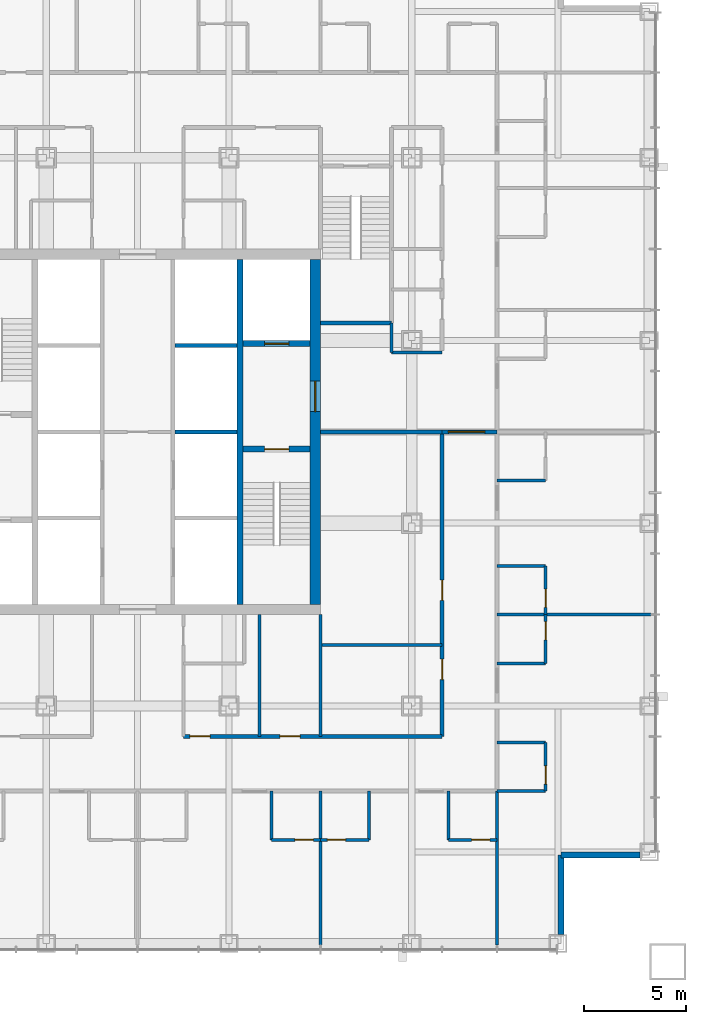
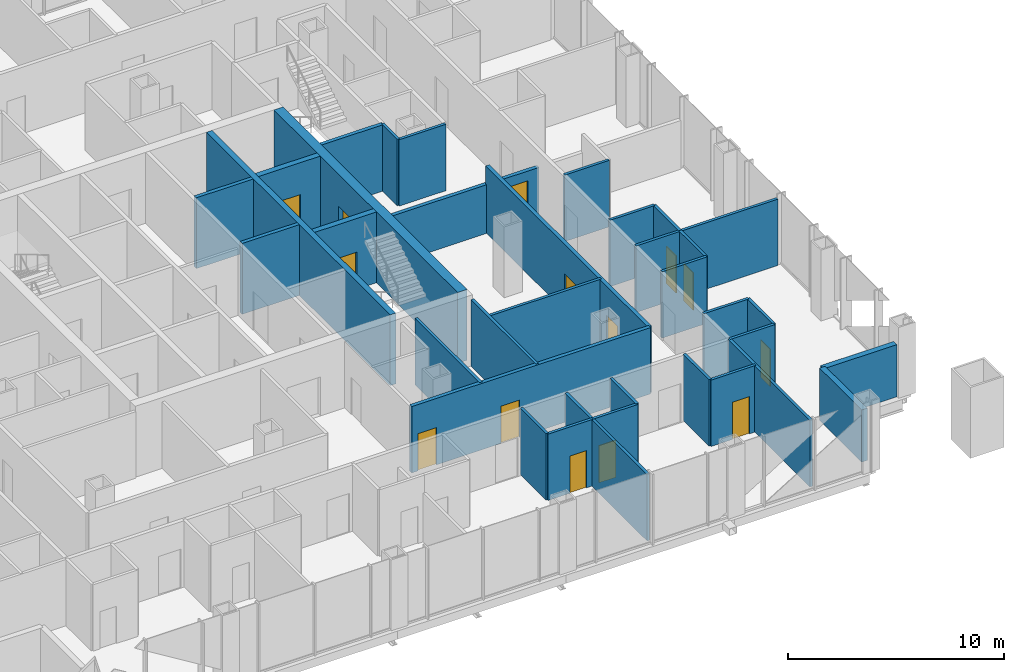
# One storey, part 9 of 13: 35 walls, 14 doors, 14 openings.
"""IFC4 building model written with IfcOpenShell, lengths in metres."""

from ifc_helpers import new_model, si_unit, direction, frame, frame_2d, origin, place, context, subcontext, project, spatial, rectangle, extrude, material, layer, layer_set, type_object, element, fill, save


model = new_model("IFC4")

# Units and contexts
model_context = context("Model", 3, precision=1e-05, world=origin(), true_north=direction((0.0, 1.0)))
body_context = subcontext(model_context, "Body", "Model", "MODEL_VIEW")
ifc_project = project(units=[si_unit("LENGTHUNIT", "METRE"), si_unit("AREAUNIT", "SQUARE_METRE"), si_unit("VOLUMEUNIT", "CUBIC_METRE"), si_unit("PLANEANGLEUNIT", "RADIAN"), si_unit("MASSUNIT", "GRAM", prefix="KILO")], contexts=[model_context])

# Site, building, storey
site_placement = place(None, origin())
site = spatial("IfcSite", under=ifc_project, at=site_placement, CompositionType="ELEMENT")
building_placement = place(site_placement, origin())
building = spatial("IfcBuilding", under=site, at=building_placement, Name="Malebo Sky Hospital", CompositionType="ELEMENT")
storey_placement = place(building_placement, frame((0.0, 0.0, 87.0)))
storey = spatial("IfcBuildingStorey", under=building, at=storey_placement, Name="L20", CompositionType="ELEMENT", Elevation=87.0)

# Walls
ifc_material_1 = material(Name="Concrete C80/95", Category="concrete")
ifc_layer_1 = layer(ifc_material_1, 0.199951171875)
ifc_layer_set_1 = layer_set([ifc_layer_1], Name="CORE INNER WALL 200")
wall_type_1 = type_object("IfcWallType", Name="CORE INNER WALL 200", PredefinedType="SHEAR", material=ifc_layer_set_1)
for number, where, z_axis, x_axis, name in (
    (1, (61.85009765625, 62.0, 0.0), (0.0, 0.0, 1.0), (1.0, 0.0, 0.0), "Core wall SE1 L20"),
    (2, (61.85009765625, 66.25, 0.0), (0.0, 0.0, 1.0), (1.0, 0.0, 0.0), "Core wall SE2 L20"),
):
    element("IfcWall", number, at=place(storey_placement, frame(where, z_axis=z_axis, x_axis=x_axis)), inside=storey, type_object=wall_type_1, Name=name, PredefinedType="SHEAR", context=body_context, shape_type="SweptSolid", body=[
        extrude(rectangle(XDim=3.0498046875, YDim=0.199951171875, at=frame_2d((1.52490234375, 0.0))), origin(), (0.0, 0.0, 1.0), 4.0),
    ])
ifc_layer_2 = layer(ifc_material_1, 0.300048828125)
ifc_layer_set_2 = layer_set([ifc_layer_2], Name="CORE INNER WALL 300")
wall_type_2 = type_object("IfcWallType", Name="CORE INNER WALL 300", PredefinedType="SHEAR", material=ifc_layer_set_2)
wall_1_placement = place(storey_placement, frame((65.050048828125, 53.5, 0.0), z_axis=(0.0, 0.0, 1.0), x_axis=(0.0, 1.0, 0.0)))
element("IfcWall", 3, at=wall_1_placement, inside=storey, type_object=wall_type_2, Name="Core wall XE L20", PredefinedType="SHEAR", context=body_context, shape_type="SweptSolid", body=[
    extrude(rectangle(XDim=17.0, YDim=0.300048828125, at=frame_2d((8.5, 0.0))), origin(), (0.0, 0.0, 1.0), 4.0),
])

# Wall, opening, door
wall_2_placement = place(storey_placement, frame((65.199951171875, 61.14990234375, 0.0), z_axis=(0.0, 0.0, 1.0), x_axis=(1.0, 0.0, 0.0)))
wall_2 = element("IfcWall", 4, at=wall_2_placement, inside=storey, type_object=wall_type_2, Name="Core wall E1 L20", PredefinedType="SHEAR", context=body_context, shape_type="SweptSolid", body=[
    extrude(rectangle(XDim=3.300048828125, YDim=0.300048828125, at=frame_2d((1.64990234375, 0.0))), origin(), (0.0, 0.0, 1.0), 4.0),
])
opening_1_placement = place(wall_2_placement, frame((1.050048828125, 0.0, 0.0)))
opening_1 = element("IfcOpeningElement", 5, at=opening_1_placement, cuts=wall_2, Name="Opening D08", PredefinedType="OPENING", context=body_context, shape_type="SweptSolid", body=[
    extrude(rectangle(XDim=1.199951171875, YDim=2.10009765625, at=frame_2d((0.60009765625, 1.050048828125))), frame((0.0, 0.159912109375, 0.0), z_axis=(0.0, -1.0, 0.0), x_axis=(1.0, 0.0, 0.0)), (0.0, 0.0, 1.0), 0.320068359375),
])
ifc_material_2 = material(Name="Hardwood-faced door leaf in steel frame", Category="steel")
door_type_1 = type_object("IfcDoorType", Name="STAIR DOOR 1200", OperationType="SINGLE_SWING_LEFT", PredefinedType="DOOR", material=ifc_material_2)
door_1_placement = place(opening_1_placement, origin())
door_1 = element("IfcDoor", 6, at=door_1_placement, inside=storey, type_object=door_type_1, Name="Stair S2 door", OperationType="SINGLE_SWING_LEFT", OverallHeight=2.10009765625, OverallWidth=1.199951171875, PredefinedType="DOOR", context=body_context, shape_type="SweptSolid", body=[
    extrude(rectangle(XDim=1.199951171875, YDim=2.10009765625, at=frame_2d((0.60009765625, 1.050048828125))), frame((0.0, 0.02490234375, 0.0), z_axis=(0.0, -1.0, 0.0), x_axis=(1.0, 0.0, 0.0)), (0.0, 0.0, 1.0), 0.050048828125),
])
fill(opening_1, door_1)

wall_3_placement = place(storey_placement, frame((65.199951171875, 66.35009765625, 0.0), z_axis=(0.0, 0.0, 1.0), x_axis=(1.0, 0.0, 0.0)))
wall_3 = element("IfcWall", 7, at=wall_3_placement, inside=storey, type_object=wall_type_2, Name="Core wall E2 L20", PredefinedType="SHEAR", context=body_context, shape_type="SweptSolid", body=[
    extrude(rectangle(XDim=3.300048828125, YDim=0.300048828125, at=frame_2d((1.64990234375, 0.0))), origin(), (0.0, 0.0, 1.0), 4.0),
])
opening_2_placement = place(wall_3_placement, frame((1.050048828125, 0.0, 0.0)))
opening_2 = element("IfcOpeningElement", 8, at=opening_2_placement, cuts=wall_3, Name="Opening LD2", PredefinedType="OPENING", context=body_context, shape_type="SweptSolid", body=[
    extrude(rectangle(XDim=1.199951171875, YDim=2.199951171875, at=frame_2d((0.60009765625, 1.10009765625))), frame((0.0, 0.159912109375, 0.0), z_axis=(0.0, -1.0, 0.0), x_axis=(1.0, 0.0, 0.0)), (0.0, 0.0, 1.0), 0.320068359375),
])
ifc_material_3 = material(Name="Stainless steel sliding landing door", Category="steel")
door_type_2 = type_object("IfcDoorType", Name="FIRE-FIGHTING LIFT LANDING DOOR 1200", OperationType="SLIDING_TO_LEFT", PredefinedType="DOOR", material=ifc_material_3)
door_2_placement = place(opening_2_placement, origin())
door_2 = element("IfcDoor", 9, at=door_2_placement, inside=storey, type_object=door_type_2, Name="Lift FL2 landing door", OperationType="SLIDING_TO_LEFT", OverallHeight=2.199951171875, OverallWidth=1.199951171875, PredefinedType="DOOR", context=body_context, shape_type="SweptSolid", body=[
    extrude(rectangle(XDim=1.199951171875, YDim=2.199951171875, at=frame_2d((0.60009765625, 1.10009765625))), frame((0.0, 0.02490234375, 0.0), z_axis=(0.0, -1.0, 0.0), x_axis=(1.0, 0.0, 0.0)), (0.0, 0.0, 1.0), 0.050048828125),
])
fill(opening_2, door_2)

ifc_layer_3 = layer(ifc_material_1, 0.5)
ifc_layer_set_3 = layer_set([ifc_layer_3], Name="CORE WALL 500")
wall_type_3 = type_object("IfcWallType", Name="CORE WALL 500", PredefinedType="SHEAR", material=ifc_layer_set_3)
wall_4_placement = place(storey_placement, frame((68.75, 53.5, 0.0), z_axis=(0.0, 0.0, 1.0), x_axis=(0.0, 1.0, 0.0)))
wall_4 = element("IfcWall", 10, at=wall_4_placement, inside=storey, type_object=wall_type_3, Name="Core wall E L20", PredefinedType="SHEAR", context=body_context, shape_type="SweptSolid", body=[
    extrude(rectangle(XDim=17.0, YDim=0.5, at=frame_2d((8.5, 0.0))), origin(), (0.0, 0.0, 1.0), 4.0),
])
opening_3_placement = place(wall_4_placement, frame((9.5, 0.0, 0.0)))
opening_3 = element("IfcOpeningElement", 11, at=opening_3_placement, cuts=wall_4, Name="Opening D07", PredefinedType="OPENING", context=body_context, shape_type="SweptSolid", body=[
    extrude(rectangle(XDim=1.5, YDim=2.199951171875, at=frame_2d((0.75, 1.10009765625))), frame((0.0, 0.260009765625, 0.0), z_axis=(0.0, -1.0, 0.0), x_axis=(1.0, 0.0, 0.0)), (0.0, 0.0, 1.0), 0.52001953125),
])
door_type_3 = type_object("IfcDoorType", Name="FIRE-FIGHTING LOBBY DOOR PAIR 1500", OperationType="DOUBLE_DOOR_SINGLE_SWING", PredefinedType="DOOR", material=ifc_material_2)
door_3_placement = place(opening_3_placement, origin())
door_3 = element("IfcDoor", 12, at=door_3_placement, inside=storey, type_object=door_type_3, Name="Fire-fighting lobby door east", OperationType="DOUBLE_DOOR_SINGLE_SWING", OverallHeight=2.199951171875, OverallWidth=1.5, PredefinedType="DOOR", context=body_context, shape_type="SweptSolid", body=[
    extrude(rectangle(XDim=1.5, YDim=2.199951171875, at=frame_2d((0.75, 1.10009765625))), frame((0.0, 0.02490234375, 0.0), z_axis=(0.0, -1.0, 0.0), x_axis=(1.0, 0.0, 0.0)), (0.0, 0.0, 1.0), 0.050048828125),
])
fill(opening_3, door_3)

# Wall, openings, doors
ifc_material_4 = material(Name="Gypsum board on steel studs", Category="steel")
ifc_layer_4 = layer(ifc_material_4, 0.199951171875)
ifc_layer_set_4 = layer_set([ifc_layer_4], Name="CORRIDOR WALL 200")
wall_type_4 = type_object("IfcWallType", Name="CORRIDOR WALL 200", PredefinedType="PARTITIONING", material=ifc_layer_set_4)
wall_5_placement = place(storey_placement, frame((75.0, 47.0, 0.0), z_axis=(0.0, 0.0, 1.0), x_axis=(-1.0, 0.0, 0.0)))
wall_5 = element("IfcWall", 13, at=wall_5_placement, inside=storey, type_object=wall_type_4, Name="Corridor Wall 200 SCI1", PredefinedType="PARTITIONING", context=body_context, shape_type="SweptSolid", body=[
    extrude(rectangle(XDim=12.75, YDim=0.199951171875, at=frame_2d((6.375, 0.0))), origin(), (0.0, 0.0, 1.0), 3.75),
])
opening_4_placement = place(wall_5_placement, frame((7.0, 0.0, 0.0)))
opening_4 = element("IfcOpeningElement", 14, at=opening_4_placement, cuts=wall_5, Name="Opening D03", PredefinedType="OPENING", context=body_context, shape_type="SweptSolid", body=[
    extrude(rectangle(XDim=1.0, YDim=2.10009765625, at=frame_2d((0.5, 1.050048828125))), frame((0.0, 0.10986328125, 0.0), z_axis=(0.0, -1.0, 0.0), x_axis=(1.0, 0.0, 0.0)), (0.0, 0.0, 1.0), 0.219970703125),
])
opening_5_placement = place(wall_5_placement, frame((11.425048828125, 0.0, 0.0)))
opening_5 = element("IfcOpeningElement", 15, at=opening_5_placement, cuts=wall_5, Name="Opening D03", PredefinedType="OPENING", context=body_context, shape_type="SweptSolid", body=[
    extrude(rectangle(XDim=1.0, YDim=2.10009765625, at=frame_2d((0.5, 1.050048828125))), frame((0.0, 0.10986328125, 0.0), z_axis=(0.0, -1.0, 0.0), x_axis=(1.0, 0.0, 0.0)), (0.0, 0.0, 1.0), 0.219970703125),
])
door_type_4 = type_object("IfcDoorType", Name="ROOM DOOR 1000", OperationType="SINGLE_SWING_LEFT", PredefinedType="DOOR", material=ifc_material_2)
door_4_placement = place(opening_4_placement, origin())
door_4 = element("IfcDoor", 16, at=door_4_placement, inside=storey, type_object=door_type_4, Name="Clean utility room door", OperationType="SINGLE_SWING_LEFT", OverallHeight=2.10009765625, OverallWidth=1.0, PredefinedType="DOOR", context=body_context, shape_type="SweptSolid", body=[
    extrude(rectangle(XDim=1.0, YDim=2.10009765625, at=frame_2d((0.5, 1.050048828125))), frame((0.0, 0.02490234375, 0.0), z_axis=(0.0, -1.0, 0.0), x_axis=(1.0, 0.0, 0.0)), (0.0, 0.0, 1.0), 0.050048828125),
])
fill(opening_4, door_4)
door_5_placement = place(opening_5_placement, origin())
door_5 = element("IfcDoor", 17, at=door_5_placement, inside=storey, type_object=door_type_4, Name="Equipment store door", OperationType="SINGLE_SWING_RIGHT", OverallHeight=2.10009765625, OverallWidth=1.0, PredefinedType="DOOR", context=body_context, shape_type="SweptSolid", body=[
    extrude(rectangle(XDim=1.0, YDim=2.10009765625, at=frame_2d((0.5, 1.050048828125))), frame((0.0, 0.02490234375, 0.0), z_axis=(0.0, -1.0, 0.0), x_axis=(1.0, 0.0, 0.0)), (0.0, 0.0, 1.0), 0.050048828125),
])
fill(opening_5, door_5)

wall_6_placement = place(storey_placement, frame((75.0, 62.0, 0.0), z_axis=(0.0, 0.0, 1.0), x_axis=(0.0, -1.0, 0.0)))
wall_6 = element("IfcWall", 18, at=wall_6_placement, inside=storey, type_object=wall_type_4, Name="Corridor Wall 200 ECI2", PredefinedType="PARTITIONING", context=body_context, shape_type="SweptSolid", body=[
    extrude(rectangle(XDim=15.0, YDim=0.199951171875, at=frame_2d((7.5, 0.0))), origin(), (0.0, 0.0, 1.0), 3.75),
])
opening_6_placement = place(wall_6_placement, frame((7.300048828125, 0.0, 0.0)))
opening_6 = element("IfcOpeningElement", 19, at=opening_6_placement, cuts=wall_6, Name="Opening D03", PredefinedType="OPENING", context=body_context, shape_type="SweptSolid", body=[
    extrude(rectangle(XDim=1.0, YDim=2.10009765625, at=frame_2d((0.5, 1.050048828125))), frame((0.0, 0.10986328125, 0.0), z_axis=(0.0, -1.0, 0.0), x_axis=(1.0, 0.0, 0.0)), (0.0, 0.0, 1.0), 0.219970703125),
])
opening_7_placement = place(wall_6_placement, frame((11.199951171875, 0.0, 0.0)))
opening_7 = element("IfcOpeningElement", 20, at=opening_7_placement, cuts=wall_6, Name="Opening D03", PredefinedType="OPENING", context=body_context, shape_type="SweptSolid", body=[
    extrude(rectangle(XDim=1.0, YDim=2.10009765625, at=frame_2d((0.5, 1.050048828125))), frame((0.0, 0.10986328125, 0.0), z_axis=(0.0, -1.0, 0.0), x_axis=(1.0, 0.0, 0.0)), (0.0, 0.0, 1.0), 0.219970703125),
])
door_6_placement = place(opening_6_placement, origin())
door_6 = element("IfcDoor", 21, at=door_6_placement, inside=storey, type_object=door_type_4, Name="Staff rest room door", OperationType="SINGLE_SWING_RIGHT", OverallHeight=2.10009765625, OverallWidth=1.0, PredefinedType="DOOR", context=body_context, shape_type="SweptSolid", body=[
    extrude(rectangle(XDim=1.0, YDim=2.10009765625, at=frame_2d((0.5, 1.050048828125))), frame((0.0, 0.02490234375, 0.0), z_axis=(0.0, -1.0, 0.0), x_axis=(1.0, 0.0, 0.0)), (0.0, 0.0, 1.0), 0.050048828125),
])
fill(opening_6, door_6)
door_7_placement = place(opening_7_placement, origin())
door_7 = element("IfcDoor", 22, at=door_7_placement, inside=storey, type_object=door_type_4, Name="Ward pantry door", OperationType="SINGLE_SWING_LEFT", OverallHeight=2.10009765625, OverallWidth=1.0, PredefinedType="DOOR", context=body_context, shape_type="SweptSolid", body=[
    extrude(rectangle(XDim=1.0, YDim=2.10009765625, at=frame_2d((0.5, 1.050048828125))), frame((0.0, 0.02490234375, 0.0), z_axis=(0.0, -1.0, 0.0), x_axis=(1.0, 0.0, 0.0)), (0.0, 0.0, 1.0), 0.050048828125),
])
fill(opening_7, door_7)

# Walls
ifc_material_5 = material(Name="Anodised aluminium rainscreen on steel framing", Category="steel")
ifc_layer_5 = layer(ifc_material_5, 0.300048828125)
ifc_layer_set_5 = layer_set([ifc_layer_5], Name="NOTCH RAINSCREEN WALL 300")
wall_type_5 = type_object("IfcWallType", Name="NOTCH RAINSCREEN WALL 300", PredefinedType="ELEMENTEDWALL", material=ifc_layer_set_5)
for number, where, z_axis, x_axis, name in (
    (23, (84.75, 41.14990234375, 0.0), (0.0, 0.0, 1.0), (-1.0, 0.0, 0.0), "Notch rainscreen wall E1 L20"),
    (24, (80.85009765625, 41.14990234375, 0.0), (0.0, 0.0, 1.0), (0.0, -1.0, 0.0), "Notch rainscreen wall E2 L20"),
):
    element("IfcWall", number, at=place(storey_placement, frame(where, z_axis=z_axis, x_axis=x_axis)), inside=storey, type_object=wall_type_5, Name=name, PredefinedType="ELEMENTEDWALL", context=body_context, shape_type="SweptSolid", body=[
        extrude(rectangle(XDim=3.89990234375, YDim=0.300048828125, at=frame_2d((1.949951171875, 0.0))), origin(), (0.0, 0.0, 1.0), 2.949951171875),
    ])
ifc_layer_6 = layer(ifc_material_4, 0.14990234375)
ifc_layer_set_6 = layer_set([ifc_layer_6], Name="PARTITION 150")
wall_type_6 = type_object("IfcWallType", Name="PARTITION 150", PredefinedType="PARTITIONING", material=ifc_layer_set_6)
for number, where, z_axis, x_axis, name in (
    (25, (69.0, 44.300048828125, 0.0), (0.0, 0.0, 1.0), (0.0, -1.0, 0.0), "Partition 150 SP-9.0"),
    (26, (77.699951171875, 44.300048828125, 0.0), (0.0, 0.0, 1.0), (0.0, -1.0, 0.0), "Partition 150 SP0"),
):
    element("IfcWall", number, at=place(storey_placement, frame(where, z_axis=z_axis, x_axis=x_axis)), inside=storey, type_object=wall_type_6, Name=name, PredefinedType="PARTITIONING", context=body_context, shape_type="SweptSolid", body=[
        extrude(rectangle(XDim=7.574951171875, YDim=0.14990234375, at=frame_2d((3.78759765625, 0.0))), origin(), (0.0, 0.0, 1.0), 3.75),
    ])

# Wall, opening, door
wall_7_placement = place(storey_placement, frame((77.699951171875, 41.89990234375, 0.0), z_axis=(0.0, 0.0, 1.0), x_axis=(-1.0, 0.0, 0.0)))
wall_7 = element("IfcWall", 27, at=wall_7_placement, inside=storey, type_object=wall_type_6, Name="Partition 150 SE0F", PredefinedType="PARTITIONING", context=body_context, shape_type="SweptSolid", body=[
    extrude(rectangle(XDim=2.39990234375, YDim=0.14990234375, at=frame_2d((1.199951171875, 0.0))), origin(), (0.0, 0.0, 1.0), 3.75),
])
opening_8_placement = place(wall_7_placement, frame((0.35009765625, 0.0, 0.0)))
opening_8 = element("IfcOpeningElement", 28, at=opening_8_placement, cuts=wall_7, Name="Opening D02", PredefinedType="OPENING", context=body_context, shape_type="SweptSolid", body=[
    extrude(rectangle(XDim=0.89990234375, YDim=2.10009765625, at=frame_2d((0.449951171875, 1.050048828125))), frame((0.0, 0.0849609375, 0.0), z_axis=(0.0, -1.0, 0.0), x_axis=(1.0, 0.0, 0.0)), (0.0, 0.0, 1.0), 0.169921875),
])
door_type_5 = type_object("IfcDoorType", Name="EN-SUITE DOOR 900", OperationType="SINGLE_SWING_LEFT", PredefinedType="DOOR", material=ifc_material_2)
door_8_placement = place(opening_8_placement, origin())
door_8 = element("IfcDoor", 29, at=door_8_placement, inside=storey, type_object=door_type_5, Name="En-suite door", OperationType="SINGLE_SWING_LEFT", OverallHeight=2.10009765625, OverallWidth=0.89990234375, PredefinedType="DOOR", context=body_context, shape_type="SweptSolid", body=[
    extrude(rectangle(XDim=0.89990234375, YDim=2.10009765625, at=frame_2d((0.449951171875, 1.050048828125))), frame((0.0, 0.02490234375, 0.0), z_axis=(0.0, -1.0, 0.0), x_axis=(1.0, 0.0, 0.0)), (0.0, 0.0, 1.0), 0.050048828125),
])
fill(opening_8, door_8)

# Wall
wall_8_placement = place(storey_placement, frame((75.300048828125, 44.300048828125, 0.0), z_axis=(0.0, 0.0, 1.0), x_axis=(0.0, -1.0, 0.0)))
element("IfcWall", 30, at=wall_8_placement, inside=storey, type_object=wall_type_6, Name="Partition 150 SE0S", PredefinedType="PARTITIONING", context=body_context, shape_type="SweptSolid", body=[
    extrude(rectangle(XDim=2.400146484375, YDim=0.14990234375, at=frame_2d((1.2001953125, 0.0))), origin(), (0.0, 0.0, 1.0), 3.75),
])

# Wall, opening, door
wall_9_placement = place(storey_placement, frame((71.39990234375, 41.89990234375, 0.0), z_axis=(0.0, 0.0, 1.0), x_axis=(-1.0, 0.0, 0.0)))
wall_9 = element("IfcWall", 31, at=wall_9_placement, inside=storey, type_object=wall_type_6, Name="Partition 150 SG0F", PredefinedType="PARTITIONING", context=body_context, shape_type="SweptSolid", body=[
    extrude(rectangle(XDim=2.39990234375, YDim=0.14990234375, at=frame_2d((1.199951171875, 0.0))), origin(), (0.0, 0.0, 1.0), 3.75),
])
opening_9_placement = place(wall_9_placement, frame((1.14990234375, 0.0, 0.0)))
opening_9 = element("IfcOpeningElement", 32, at=opening_9_placement, cuts=wall_9, Name="Opening D02", PredefinedType="OPENING", context=body_context, shape_type="SweptSolid", body=[
    extrude(rectangle(XDim=0.89990234375, YDim=2.10009765625, at=frame_2d((0.449951171875, 1.050048828125))), frame((0.0, 0.0849609375, 0.0), z_axis=(0.0, -1.0, 0.0), x_axis=(1.0, 0.0, 0.0)), (0.0, 0.0, 1.0), 0.169921875),
])
door_9_placement = place(opening_9_placement, origin())
door_9 = element("IfcDoor", 33, at=door_9_placement, inside=storey, type_object=door_type_5, Name="En-suite door", OperationType="SINGLE_SWING_RIGHT", OverallHeight=2.10009765625, OverallWidth=0.89990234375, PredefinedType="DOOR", context=body_context, shape_type="SweptSolid", body=[
    extrude(rectangle(XDim=0.89990234375, YDim=2.10009765625, at=frame_2d((0.449951171875, 1.050048828125))), frame((0.0, 0.02490234375, 0.0), z_axis=(0.0, -1.0, 0.0), x_axis=(1.0, 0.0, 0.0)), (0.0, 0.0, 1.0), 0.050048828125),
])
fill(opening_9, door_9)

# Wall
wall_10_placement = place(storey_placement, frame((71.39990234375, 44.300048828125, 0.0), z_axis=(0.0, 0.0, 1.0), x_axis=(0.0, -1.0, 0.0)))
element("IfcWall", 34, at=wall_10_placement, inside=storey, type_object=wall_type_6, Name="Partition 150 SG0S", PredefinedType="PARTITIONING", context=body_context, shape_type="SweptSolid", body=[
    extrude(rectangle(XDim=2.400146484375, YDim=0.14990234375, at=frame_2d((1.2001953125, 0.0))), origin(), (0.0, 0.0, 1.0), 3.75),
])

# Wall, opening, door
wall_11_placement = place(storey_placement, frame((69.0, 41.89990234375, 0.0), z_axis=(0.0, 0.0, 1.0), x_axis=(-1.0, 0.0, 0.0)))
wall_11 = element("IfcWall", 35, at=wall_11_placement, inside=storey, type_object=wall_type_6, Name="Partition 150 SE1F", PredefinedType="PARTITIONING", context=body_context, shape_type="SweptSolid", body=[
    extrude(rectangle(XDim=2.39990234375, YDim=0.14990234375, at=frame_2d((1.199951171875, 0.0))), origin(), (0.0, 0.0, 1.0), 3.75),
])
opening_10_placement = place(wall_11_placement, frame((0.35009765625, 0.0, 0.0)))
opening_10 = element("IfcOpeningElement", 36, at=opening_10_placement, cuts=wall_11, Name="Opening D02", PredefinedType="OPENING", context=body_context, shape_type="SweptSolid", body=[
    extrude(rectangle(XDim=0.89990234375, YDim=2.10009765625, at=frame_2d((0.449951171875, 1.050048828125))), frame((0.0, 0.0849609375, 0.0), z_axis=(0.0, -1.0, 0.0), x_axis=(1.0, 0.0, 0.0)), (0.0, 0.0, 1.0), 0.169921875),
])
door_10_placement = place(opening_10_placement, origin())
door_10 = element("IfcDoor", 37, at=door_10_placement, inside=storey, type_object=door_type_5, Name="En-suite door", OperationType="SINGLE_SWING_LEFT", OverallHeight=2.10009765625, OverallWidth=0.89990234375, PredefinedType="DOOR", context=body_context, shape_type="SweptSolid", body=[
    extrude(rectangle(XDim=0.89990234375, YDim=2.10009765625, at=frame_2d((0.449951171875, 1.050048828125))), frame((0.0, 0.02490234375, 0.0), z_axis=(0.0, -1.0, 0.0), x_axis=(1.0, 0.0, 0.0)), (0.0, 0.0, 1.0), 0.050048828125),
])
fill(opening_10, door_10)

# Walls
wall_12_placement = place(storey_placement, frame((66.60009765625, 44.300048828125, 0.0), z_axis=(0.0, 0.0, 1.0), x_axis=(0.0, -1.0, 0.0)))
element("IfcWall", 38, at=wall_12_placement, inside=storey, type_object=wall_type_6, Name="Partition 150 SE1S", PredefinedType="PARTITIONING", context=body_context, shape_type="SweptSolid", body=[
    extrude(rectangle(XDim=2.400146484375, YDim=0.14990234375, at=frame_2d((1.2001953125, 0.0))), origin(), (0.0, 0.0, 1.0), 3.75),
])
for number, where, z_axis, x_axis, name in (
    (39, (69.0, 53.0, 0.0), (0.0, 0.0, 1.0), (0.0, -1.0, 0.0), "Partition 150 SSP0"),
    (40, (66.0, 53.0, 0.0), (0.0, 0.0, 1.0), (0.0, -1.0, 0.0), "Partition 150 SSP-6.0"),
):
    element("IfcWall", number, at=place(storey_placement, frame(where, z_axis=z_axis, x_axis=x_axis)), inside=storey, type_object=wall_type_6, Name=name, PredefinedType="PARTITIONING", context=body_context, shape_type="SweptSolid", body=[
        extrude(rectangle(XDim=6.0, YDim=0.14990234375, at=frame_2d((3.0, 0.0))), origin(), (0.0, 0.0, 1.0), 3.75),
    ])
wall_13_placement = place(storey_placement, frame((77.699951171875, 53.0, 0.0), z_axis=(0.0, 0.0, 1.0), x_axis=(1.0, 0.0, 0.0)))
element("IfcWall", 41, at=wall_13_placement, inside=storey, type_object=wall_type_6, Name="Partition 150 EP+9.0", PredefinedType="PARTITIONING", context=body_context, shape_type="SweptSolid", body=[
    extrude(rectangle(XDim=7.574951171875, YDim=0.14990234375, at=frame_2d((3.78759765625, 0.0))), origin(), (0.0, 0.0, 1.0), 3.75),
])
wall_14_placement = place(storey_placement, frame((77.699951171875, 59.60009765625, 0.0), z_axis=(0.0, 0.0, 1.0), x_axis=(1.0, 0.0, 0.0)))
element("IfcWall", 42, at=wall_14_placement, inside=storey, type_object=wall_type_6, Name="Partition 150 EE3S", PredefinedType="PARTITIONING", context=body_context, shape_type="SweptSolid", body=[
    extrude(rectangle(XDim=2.400146484375, YDim=0.14990234375, at=frame_2d((1.2001953125, 0.0))), origin(), (0.0, 0.0, 1.0), 3.75),
])

# Wall, opening, door
wall_15_placement = place(storey_placement, frame((80.10009765625, 55.39990234375, 0.0), z_axis=(0.0, 0.0, 1.0), x_axis=(0.0, -1.0, 0.0)))
wall_15 = element("IfcWall", 43, at=wall_15_placement, inside=storey, type_object=wall_type_6, Name="Partition 150 EG3F", PredefinedType="PARTITIONING", context=body_context, shape_type="SweptSolid", body=[
    extrude(rectangle(XDim=2.39990234375, YDim=0.14990234375, at=frame_2d((1.199951171875, 0.0))), origin(), (0.0, 0.0, 1.0), 3.75),
])
opening_11_placement = place(wall_15_placement, frame((1.14990234375, 0.0, 0.0)))
opening_11 = element("IfcOpeningElement", 44, at=opening_11_placement, cuts=wall_15, Name="Opening D02", PredefinedType="OPENING", context=body_context, shape_type="SweptSolid", body=[
    extrude(rectangle(XDim=0.89990234375, YDim=2.10009765625, at=frame_2d((0.449951171875, 1.050048828125))), frame((0.0, 0.0849609375, 0.0), z_axis=(0.0, -1.0, 0.0), x_axis=(1.0, 0.0, 0.0)), (0.0, 0.0, 1.0), 0.169921875),
])
door_11_placement = place(opening_11_placement, origin())
door_11 = element("IfcDoor", 45, at=door_11_placement, inside=storey, type_object=door_type_5, Name="En-suite door", OperationType="SINGLE_SWING_RIGHT", OverallHeight=2.10009765625, OverallWidth=0.89990234375, PredefinedType="DOOR", context=body_context, shape_type="SweptSolid", body=[
    extrude(rectangle(XDim=0.89990234375, YDim=2.10009765625, at=frame_2d((0.449951171875, 1.050048828125))), frame((0.0, 0.02490234375, 0.0), z_axis=(0.0, -1.0, 0.0), x_axis=(1.0, 0.0, 0.0)), (0.0, 0.0, 1.0), 0.050048828125),
])
fill(opening_11, door_11)

# Wall
wall_16_placement = place(storey_placement, frame((77.699951171875, 55.39990234375, 0.0), z_axis=(0.0, 0.0, 1.0), x_axis=(1.0, 0.0, 0.0)))
element("IfcWall", 46, at=wall_16_placement, inside=storey, type_object=wall_type_6, Name="Partition 150 EG3S", PredefinedType="PARTITIONING", context=body_context, shape_type="SweptSolid", body=[
    extrude(rectangle(XDim=2.400146484375, YDim=0.14990234375, at=frame_2d((1.2001953125, 0.0))), origin(), (0.0, 0.0, 1.0), 3.75),
])

# Wall, opening, door
wall_17_placement = place(storey_placement, frame((80.10009765625, 53.0, 0.0), z_axis=(0.0, 0.0, 1.0), x_axis=(0.0, -1.0, 0.0)))
wall_17 = element("IfcWall", 47, at=wall_17_placement, inside=storey, type_object=wall_type_6, Name="Partition 150 EE4F", PredefinedType="PARTITIONING", context=body_context, shape_type="SweptSolid", body=[
    extrude(rectangle(XDim=2.39990234375, YDim=0.14990234375, at=frame_2d((1.199951171875, 0.0))), origin(), (0.0, 0.0, 1.0), 3.75),
])
opening_12_placement = place(wall_17_placement, frame((0.35009765625, 0.0, 0.0)))
opening_12 = element("IfcOpeningElement", 48, at=opening_12_placement, cuts=wall_17, Name="Opening D02", PredefinedType="OPENING", context=body_context, shape_type="SweptSolid", body=[
    extrude(rectangle(XDim=0.89990234375, YDim=2.10009765625, at=frame_2d((0.449951171875, 1.050048828125))), frame((0.0, 0.0849609375, 0.0), z_axis=(0.0, -1.0, 0.0), x_axis=(1.0, 0.0, 0.0)), (0.0, 0.0, 1.0), 0.169921875),
])
door_12_placement = place(opening_12_placement, origin())
door_12 = element("IfcDoor", 49, at=door_12_placement, inside=storey, type_object=door_type_5, Name="En-suite door", OperationType="SINGLE_SWING_LEFT", OverallHeight=2.10009765625, OverallWidth=0.89990234375, PredefinedType="DOOR", context=body_context, shape_type="SweptSolid", body=[
    extrude(rectangle(XDim=0.89990234375, YDim=2.10009765625, at=frame_2d((0.449951171875, 1.050048828125))), frame((0.0, 0.02490234375, 0.0), z_axis=(0.0, -1.0, 0.0), x_axis=(1.0, 0.0, 0.0)), (0.0, 0.0, 1.0), 0.050048828125),
])
fill(opening_12, door_12)

# Wall
wall_18_placement = place(storey_placement, frame((77.699951171875, 50.60009765625, 0.0), z_axis=(0.0, 0.0, 1.0), x_axis=(1.0, 0.0, 0.0)))
element("IfcWall", 50, at=wall_18_placement, inside=storey, type_object=wall_type_6, Name="Partition 150 EE4S", PredefinedType="PARTITIONING", context=body_context, shape_type="SweptSolid", body=[
    extrude(rectangle(XDim=2.400146484375, YDim=0.14990234375, at=frame_2d((1.2001953125, 0.0))), origin(), (0.0, 0.0, 1.0), 3.75),
])

# Wall, opening, door
wall_19_placement = place(storey_placement, frame((80.10009765625, 46.699951171875, 0.0), z_axis=(0.0, 0.0, 1.0), x_axis=(0.0, -1.0, 0.0)))
wall_19 = element("IfcWall", 51, at=wall_19_placement, inside=storey, type_object=wall_type_6, Name="Partition 150 EG4F", PredefinedType="PARTITIONING", context=body_context, shape_type="SweptSolid", body=[
    extrude(rectangle(XDim=2.39990234375, YDim=0.14990234375, at=frame_2d((1.199951171875, 0.0))), origin(), (0.0, 0.0, 1.0), 3.75),
])
opening_13_placement = place(wall_19_placement, frame((1.14990234375, 0.0, 0.0)))
opening_13 = element("IfcOpeningElement", 52, at=opening_13_placement, cuts=wall_19, Name="Opening D02", PredefinedType="OPENING", context=body_context, shape_type="SweptSolid", body=[
    extrude(rectangle(XDim=0.89990234375, YDim=2.10009765625, at=frame_2d((0.449951171875, 1.050048828125))), frame((0.0, 0.0849609375, 0.0), z_axis=(0.0, -1.0, 0.0), x_axis=(1.0, 0.0, 0.0)), (0.0, 0.0, 1.0), 0.169921875),
])
door_13_placement = place(opening_13_placement, origin())
door_13 = element("IfcDoor", 53, at=door_13_placement, inside=storey, type_object=door_type_5, Name="En-suite door", OperationType="SINGLE_SWING_RIGHT", OverallHeight=2.10009765625, OverallWidth=0.89990234375, PredefinedType="DOOR", context=body_context, shape_type="SweptSolid", body=[
    extrude(rectangle(XDim=0.89990234375, YDim=2.10009765625, at=frame_2d((0.449951171875, 1.050048828125))), frame((0.0, 0.02490234375, 0.0), z_axis=(0.0, -1.0, 0.0), x_axis=(1.0, 0.0, 0.0)), (0.0, 0.0, 1.0), 0.050048828125),
])
fill(opening_13, door_13)

# Walls
for number, where, z_axis, x_axis, name in (
    (54, (77.699951171875, 46.699951171875, 0.0), (0.0, 0.0, 1.0), (1.0, 0.0, 0.0), "Partition 150 EG4S"),
    (55, (77.699951171875, 44.300048828125, 0.0), (0.0, 0.0, 1.0), (1.0, 0.0, 0.0), "Partition 150 EEZ"),
):
    element("IfcWall", number, at=place(storey_placement, frame(where, z_axis=z_axis, x_axis=x_axis)), inside=storey, type_object=wall_type_6, Name=name, PredefinedType="PARTITIONING", context=body_context, shape_type="SweptSolid", body=[
        extrude(rectangle(XDim=2.400146484375, YDim=0.14990234375, at=frame_2d((1.2001953125, 0.0))), origin(), (0.0, 0.0, 1.0), 3.75),
    ])
wall_20_placement = place(storey_placement, frame((72.5, 65.89990234375, 0.0), z_axis=(0.0, 0.0, 1.0), x_axis=(1.0, 0.0, 0.0)))
element("IfcWall", 56, at=wall_20_placement, inside=storey, type_object=wall_type_6, Name="Partition 150 ESPA", PredefinedType="PARTITIONING", context=body_context, shape_type="SweptSolid", body=[
    extrude(rectangle(XDim=2.5, YDim=0.14990234375, at=frame_2d((1.25, 0.0))), origin(), (0.0, 0.0, 1.0), 3.75),
])
wall_21_placement = place(storey_placement, frame((69.0, 51.5, 0.0), z_axis=(0.0, 0.0, 1.0), x_axis=(1.0, 0.0, 0.0)))
element("IfcWall", 57, at=wall_21_placement, inside=storey, type_object=wall_type_6, Name="Partition 150 ESP+10.5", PredefinedType="PARTITIONING", context=body_context, shape_type="SweptSolid", body=[
    extrude(rectangle(XDim=6.0, YDim=0.14990234375, at=frame_2d((3.0, 0.0))), origin(), (0.0, 0.0, 1.0), 3.75),
])
wall_22_placement = place(storey_placement, frame((72.5, 65.89990234375, 0.0), z_axis=(0.0, 0.0, 1.0), x_axis=(0.0, 1.0, 0.0)))
element("IfcWall", 58, at=wall_22_placement, inside=storey, type_object=wall_type_6, Name="Partition 150 ST3C", PredefinedType="PARTITIONING", context=body_context, shape_type="SweptSolid", body=[
    extrude(rectangle(XDim=1.4501953125, YDim=0.14990234375, at=frame_2d((0.72509765625, 0.0))), origin(), (0.0, 0.0, 1.0), 3.75),
])
ifc_material_6 = material(Name="Concrete blockwork", Category="masonry")
ifc_layer_7 = layer(ifc_material_6, 0.199951171875)
ifc_layer_set_7 = layer_set([ifc_layer_7], Name="SMOKE BARRIER WALL 200")
wall_type_7 = type_object("IfcWallType", Name="SMOKE BARRIER WALL 200", PredefinedType="SOLIDWALL", material=ifc_layer_set_7)
wall_23_placement = place(storey_placement, frame((69.0, 62.0, 0.0), z_axis=(0.0, 0.0, 1.0), x_axis=(1.0, 0.0, 0.0)))
element("IfcWall", 59, at=wall_23_placement, inside=storey, type_object=wall_type_7, Name="Smoke Barrier Wall 200 ESPB", PredefinedType="SOLIDWALL", context=body_context, shape_type="SweptSolid", body=[
    extrude(rectangle(XDim=6.0, YDim=0.199951171875, at=frame_2d((3.0, 0.0))), origin(), (0.0, 0.0, 1.0), 2.75),
])

# Wall, opening, door
wall_24_placement = place(storey_placement, frame((75.0, 62.0, 0.0), z_axis=(0.0, 0.0, 1.0), x_axis=(1.0, 0.0, 0.0)))
wall_24 = element("IfcWall", 60, at=wall_24_placement, inside=storey, type_object=wall_type_7, Name="Smoke Barrier Wall 200 ESB", PredefinedType="SOLIDWALL", context=body_context, shape_type="SweptSolid", body=[
    extrude(rectangle(XDim=2.699951171875, YDim=0.199951171875, at=frame_2d((1.35009765625, 0.0))), origin(), (0.0, 0.0, 1.0), 2.75),
])
opening_14_placement = place(wall_24_placement, frame((0.300048828125, 0.0, 0.0)))
opening_14 = element("IfcOpeningElement", 61, at=opening_14_placement, cuts=wall_24, Name="Opening D05", PredefinedType="OPENING", context=body_context, shape_type="SweptSolid", body=[
    extrude(rectangle(XDim=1.800048828125, YDim=2.199951171875, at=frame_2d((0.89990234375, 1.10009765625))), frame((0.0, 0.10986328125, 0.0), z_axis=(0.0, -1.0, 0.0), x_axis=(1.0, 0.0, 0.0)), (0.0, 0.0, 1.0), 0.219970703125),
])
door_type_6 = type_object("IfcDoorType", Name="SMOKE DOOR PAIR 1800", OperationType="DOUBLE_DOOR_DOUBLE_SWING", PredefinedType="DOOR", material=ifc_material_2)
door_14_placement = place(opening_14_placement, origin())
door_14 = element("IfcDoor", 62, at=door_14_placement, inside=storey, type_object=door_type_6, Name="Smoke compartment door pair", OperationType="DOUBLE_DOOR_DOUBLE_SWING", OverallHeight=2.199951171875, OverallWidth=1.800048828125, PredefinedType="DOOR", context=body_context, shape_type="SweptSolid", body=[
    extrude(rectangle(XDim=1.800048828125, YDim=2.199951171875, at=frame_2d((0.89990234375, 1.10009765625))), frame((0.0, 0.02490234375, 0.0), z_axis=(0.0, -1.0, 0.0), x_axis=(1.0, 0.0, 0.0)), (0.0, 0.0, 1.0), 0.050048828125),
])
fill(opening_14, door_14)

# Wall
ifc_material_7 = material(Name="Concrete C40/50", Category="concrete")
ifc_layer_8 = layer(ifc_material_7, 0.199951171875)
ifc_layer_set_8 = layer_set([ifc_layer_8], Name="STAIR ENCLOSURE WALL 200")
wall_type_8 = type_object("IfcWallType", Name="STAIR ENCLOSURE WALL 200", PredefinedType="SOLIDWALL", material=ifc_layer_set_8)
wall_25_placement = place(storey_placement, frame((69.0, 67.35009765625, 0.0), z_axis=(0.0, 0.0, 1.0), x_axis=(1.0, 0.0, 0.0)))
element("IfcWall", 63, at=wall_25_placement, inside=storey, type_object=wall_type_8, Name="Stair Enclosure Wall 200 ST3S", PredefinedType="SOLIDWALL", context=body_context, shape_type="SweptSolid", body=[
    extrude(rectangle(XDim=3.5, YDim=0.199951171875, at=frame_2d((1.75, 0.0))), origin(), (0.0, 0.0, 1.0), 3.75),
])

save(model, "model.ifc")
